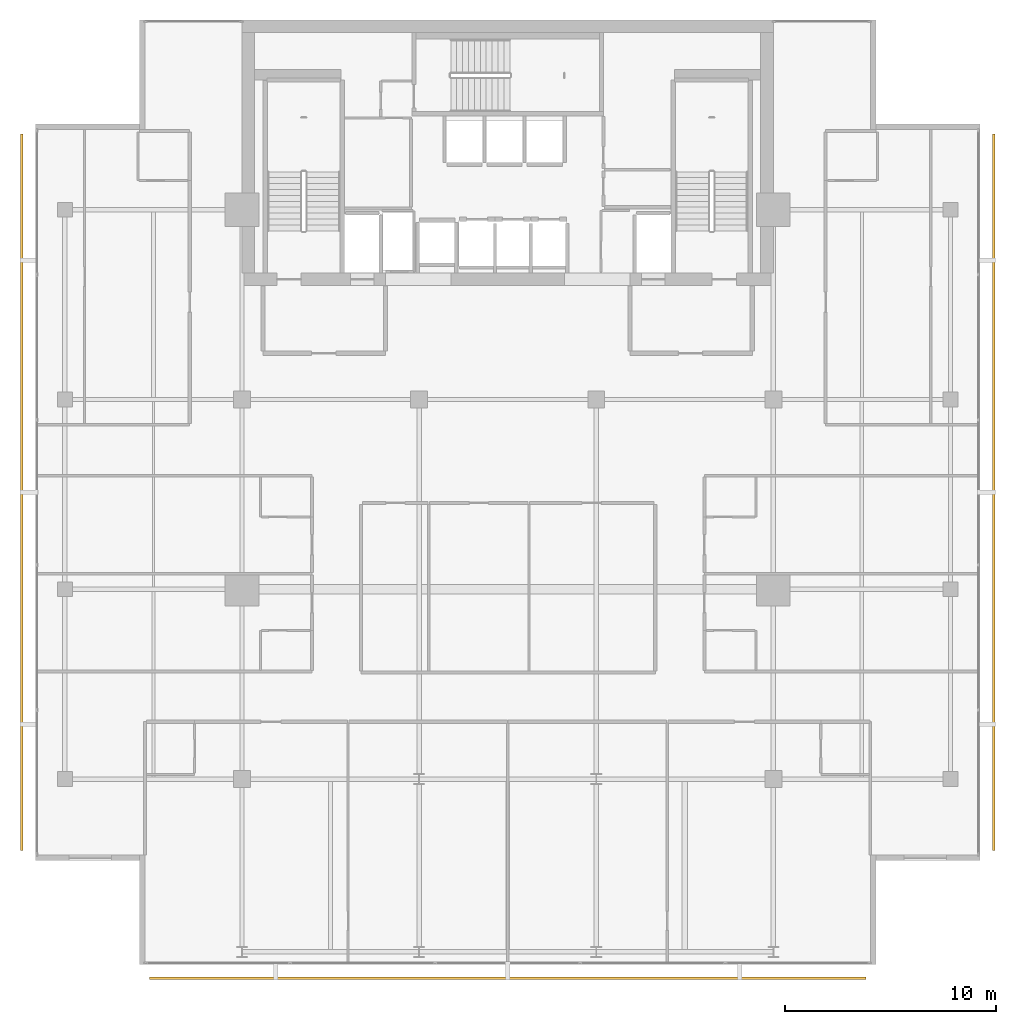
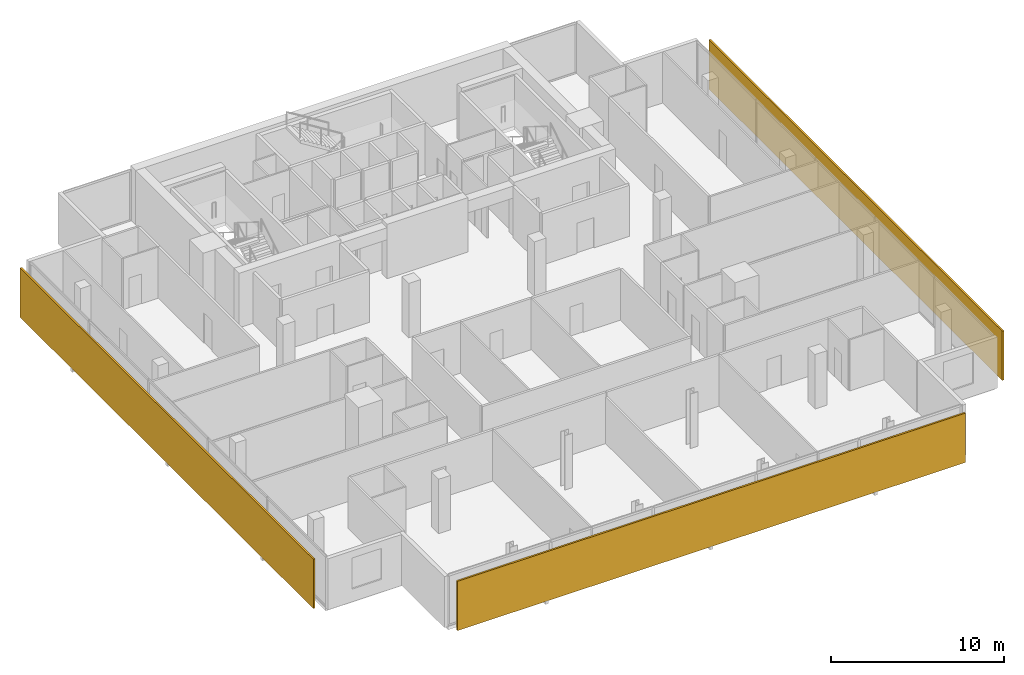
# One storey, part 24 of 25: 3 shading devices.
"""IFC4 building model written with IfcOpenShell, lengths in metres."""

import ifcopenshell
import ifcopenshell.guid

model = None  # the IFC model being written
_history = None  # IfcOwnerHistory: only IFC2X3 demands one
_inside = {}  # id of a spatial element -> (the spatial element, [elements in it])
_under = {}  # id of a project, library or spatial element -> (it, [spatial elements below it])
_declared = {}  # id of a project -> (the project, [libraries it declares])
_typed = {}  # id of a type object -> (the type object, [elements of that type])
_made_of = {}  # id of a material, layer set ... -> (it, [elements and type objects made of it])


def new_model(schema):
    """Start an empty IFC model of exactly this schema.

    Asked for "IFC4X3", IfcOpenShell would pick the latest addendum, in which some entities
    have other attributes; the version numbers below select the first issue.
    IFC2X3 requires an IfcOwnerHistory on every rooted entity: one is made here for all.
    """
    global model, _history
    if schema == "IFC4X3":
        model = ifcopenshell.file(schema_version=(4, 3, 0, 0))
    else:
        model = ifcopenshell.file(schema=schema)
    _inside.clear()
    _under.clear()
    _declared.clear()
    _typed.clear()
    _made_of.clear()
    _history = None
    if model.schema == "IFC2X3":
        org = make("IfcOrganization", Name="unknown")
        user = make(
            "IfcPersonAndOrganization",
            ThePerson=make("IfcPerson", FamilyName="unknown"),
            TheOrganization=org,
        )
        app = make(
            "IfcApplication",
            ApplicationDeveloper=org,
            Version="unknown",
            ApplicationFullName="unknown",
            ApplicationIdentifier="unknown",
        )
        _history = make(
            "IfcOwnerHistory",
            OwningUser=user,
            OwningApplication=app,
            ChangeAction="ADDED",
            CreationDate=0,
        )
    return model


def make(cls, **values):
    """One entity of the class cls with the attributes given. An attribute that is None is left unset."""
    return model.create_entity(
        cls, **{name: value for name, value in values.items() if value is not None}
    )


def rooted(cls, **values):
    """An entity with a GlobalId (a new one), such as an element, a storey or a relation."""
    return make(cls, GlobalId=ifcopenshell.guid.new(), OwnerHistory=_history, **values)


def si_unit(unit_type, name, prefix=None):
    """IfcSIUnit, for example si_unit("LENGTHUNIT", "METRE", prefix="MILLI")."""
    return make("IfcSIUnit", UnitType=unit_type, Prefix=prefix, Name=name)


def assignment(units):
    """IfcUnitAssignment: the units of a project."""
    return None if units is None else make("IfcUnitAssignment", Units=units)


def point(xyz):
    """IfcCartesianPoint."""
    return None if xyz is None else make("IfcCartesianPoint", Coordinates=xyz)


def direction(xyz):
    """IfcDirection."""
    return None if xyz is None else make("IfcDirection", DirectionRatios=xyz)


def frame(location, z_axis=None, x_axis=None):
    """IfcAxis2Placement3D, a coordinate frame: its origin and axes. An axis left out is left unset."""
    return make(
        "IfcAxis2Placement3D",
        Location=point(location),
        Axis=direction(z_axis),
        RefDirection=direction(x_axis),
    )


def frame_2d(location, x_axis=None):
    """IfcAxis2Placement2D, a coordinate frame in the plane: its origin and x axis."""
    return make(
        "IfcAxis2Placement2D", Location=point(location), RefDirection=direction(x_axis)
    )


def origin():
    """The frame at (0, 0, 0) with its axes left unset."""
    return frame((0.0, 0.0, 0.0))


def origin_2d():
    """The frame at (0, 0) in the plane with its x axis left unset."""
    return frame_2d((0.0, 0.0))


def place(relative_to, where):
    """IfcLocalPlacement: puts the frame where relative to a parent placement (None: the world)."""
    return make(
        "IfcLocalPlacement", PlacementRelTo=relative_to, RelativePlacement=where
    )


def context(
    kind, dimensions, precision=None, world=None, true_north=None, identifier=None
):
    """IfcGeometricRepresentationContext, for example the 3D "Model" context."""
    return make(
        "IfcGeometricRepresentationContext",
        ContextIdentifier=identifier,
        ContextType=kind,
        CoordinateSpaceDimension=dimensions,
        Precision=precision,
        WorldCoordinateSystem=world,
        TrueNorth=true_north,
    )


def subcontext(parent, identifier, kind, view, scale=None):
    """IfcGeometricRepresentationSubContext, for example "Body" below "Model"."""
    return make(
        "IfcGeometricRepresentationSubContext",
        ContextIdentifier=identifier,
        ContextType=kind,
        ParentContext=parent,
        TargetScale=scale,
        TargetView=view,
    )


def project(units=None, contexts=None):
    """IfcProject with its units and contexts."""
    return rooted(
        "IfcProject",
        Name="project",
        RepresentationContexts=contexts,
        UnitsInContext=assignment(units),
    )


def spatial(cls, under=None, at=None, **own):
    """A site, building, storey or space (cls), placed at a placement, below another one or the project."""
    s = rooted(cls, ObjectPlacement=at, **own)
    if under is not None:
        _under.setdefault(under.id(), (under, []))[1].append(s)
    return s


def profile(cls, at=None, kind="AREA", **sizes):
    """A parametric profile (cls). Its sizes go by their IFC names, for example OverallWidth=200.0."""
    return make(cls, ProfileType=kind, Position=at, **sizes)


def rectangle(**sizes):
    """IfcRectangleProfileDef."""
    return profile("IfcRectangleProfileDef", **sizes)


def extrude(swept, where, along, depth):
    """IfcExtrudedAreaSolid: the profile swept, set in the frame where, extruded along a direction by depth."""
    return make(
        "IfcExtrudedAreaSolid",
        SweptArea=swept,
        Position=where,
        ExtrudedDirection=direction(along),
        Depth=depth,
    )


def shape(context_of_items, identifier, shape_type, items):
    """IfcShapeRepresentation: the items that make up one representation, for example the "Body"."""
    return make(
        "IfcShapeRepresentation",
        ContextOfItems=context_of_items,
        RepresentationIdentifier=identifier,
        RepresentationType=shape_type,
        Items=items,
    )


def material(Name=None, Category=None):
    """IfcMaterial."""
    return make("IfcMaterial", Name=Name, Category=Category)


def layer(
    of_material, thickness, ventilated=None, Name=None, Category=None, Priority=None
):
    """IfcMaterialLayer: one layer of a wall or slab, of a material (None: an air gap)."""
    return make(
        "IfcMaterialLayer",
        Material=of_material,
        LayerThickness=thickness,
        IsVentilated=ventilated,
        Name=Name,
        Category=Category,
        Priority=Priority,
    )


def layer_set(layers, Name=None):
    """IfcMaterialLayerSet."""
    return make("IfcMaterialLayerSet", MaterialLayers=layers, LayerSetName=Name)


def made_of(thing, what):
    """Note that an element or type object is made of a material, layer set ...; save() writes the relation."""
    if what is not None:
        _made_of.setdefault(what.id(), (what, []))[1].append(thing)
    return thing


def type_object(cls, material=None, **own):
    """A type object (cls), such as IfcWallType, which elements share."""
    return made_of(rooted(cls, **own), material)


def element(
    cls,
    number,
    at=None,
    inside=None,
    cuts=None,
    type_object=None,
    material=None,
    context=None,
    identifier="Body",
    shape_type=None,
    held_by="IfcProductDefinitionShape",
    body=None,
    shapes=None,
    **own,
):
    """One element of the class cls, such as IfcWall. Its Tag is "e" and its number.

    at: its placement. inside: the storey or other place that contains it. cuts: it is an
    opening in that element (IfcRelVoidsElement). A single representation is given by context,
    identifier, shape_type and body (its items); several are given by shapes. held_by: the class
    of the entity that holds the representations. save() writes the other relations.
    """
    e = rooted(cls, Tag="e%d" % number, ObjectPlacement=at, **own)
    if body is not None:
        shapes = [shape(context, identifier, shape_type, body)]
    if shapes is not None:
        e.Representation = make(held_by, Representations=shapes)
    if inside is not None:
        _inside.setdefault(inside.id(), (inside, []))[1].append(e)
    if cuts is not None:
        rooted(
            "IfcRelVoidsElement", RelatingBuildingElement=cuts, RelatedOpeningElement=e
        )
    if type_object is not None:
        _typed.setdefault(type_object.id(), (type_object, []))[1].append(e)
    return made_of(e, material)


def aggregate(whole, parts):
    """IfcRelAggregates: a whole, such as a stair, and the parts it consists of."""
    return rooted("IfcRelAggregates", RelatingObject=whole, RelatedObjects=parts)


def save(model, path):
    """Write the relations noted so far, then the file.

    IfcRelAggregates (storeys below a building ...), IfcRelContainedInSpatialStructure (elements
    in a storey), IfcRelDefinesByType, IfcRelAssociatesMaterial and IfcRelDeclares: one each for
    every whole, place, type object, material and project.
    """
    for whole, parts in _under.values():
        aggregate(whole, parts)
    for where, things in _inside.values():
        rooted(
            "IfcRelContainedInSpatialStructure",
            RelatedElements=things,
            RelatingStructure=where,
        )
    for kind, things in _typed.values():
        rooted("IfcRelDefinesByType", RelatedObjects=things, RelatingType=kind)
    for what, things in _made_of.values():
        rooted("IfcRelAssociatesMaterial", RelatedObjects=things, RelatingMaterial=what)
    for by, libraries in _declared.values():
        rooted("IfcRelDeclares", RelatingContext=by, RelatedDefinitions=libraries)
    model.write(path)


model = new_model("IFC4")

# Units and contexts
model_context = context("Model", 3, precision=1e-05, world=origin(), true_north=direction((0.0, 1.0)))
body_context = subcontext(model_context, "Body", "Model", "MODEL_VIEW")
ifc_project = project(units=[si_unit("LENGTHUNIT", "METRE"), si_unit("AREAUNIT", "SQUARE_METRE"), si_unit("VOLUMEUNIT", "CUBIC_METRE"), si_unit("PLANEANGLEUNIT", "RADIAN"), si_unit("MASSUNIT", "GRAM", prefix="KILO")], contexts=[model_context])

# Site, building, storey
site_placement = place(None, origin())
site = spatial("IfcSite", under=ifc_project, at=site_placement, CompositionType="ELEMENT")
building_placement = place(site_placement, origin())
building = spatial("IfcBuilding", under=site, at=building_placement, Name="Maruvema Waterfront Hotel and Observation Tower", CompositionType="ELEMENT")
storey_placement = place(building_placement, frame((0.0, 0.0, 274.050048828125)))
storey = spatial("IfcBuildingStorey", under=building, at=storey_placement, Name="L67", CompositionType="ELEMENT", Elevation=274.050048828125)

# Shading devices
ifc_material = material(Name="Honed travertine stone and anodised architectural bronze", Category="masonry")
ifc_layer = layer(ifc_material, 0.1201171875, Name="Ventilated Outer Skin Cobogo Stone-and-Bronze Screen 120 mm")
ifc_layer_set = layer_set([ifc_layer], Name="Honed travertine stone and anodised architectural bronze")
shading_device_type = type_object("IfcShadingDeviceType", Name="Ventilated Outer Skin Cobogo Stone-and-Bronze Screen 120 mm", PredefinedType="USERDEFINED", material=ifc_layer_set)
for number, where, z_axis, x_axis, name in (
    (1, (37.800048828125, 8.550048828125, 0.06005859375), (0.0, 0.0, 1.0), (1.0, 0.0, 0.0), "L67 Ventilated Double-Skin Outer Cobogo Screen OS-L67-S"),
    (2, (60.85009765625, 31.60009765625, 0.06005859375), (0.0, 0.0, 1.0), (0.0, 1.0, 0.0), "L67 Ventilated Double-Skin Outer Cobogo Screen OS-L67-E"),
    (3, (14.75, 31.60009765625, 0.06005859375), (0.0, 0.0, 1.0), (0.0, -1.0, 0.0), "L67 Ventilated Double-Skin Outer Cobogo Screen OS-L67-W"),
):
    element("IfcShadingDevice", number, at=place(storey_placement, frame(where, z_axis=z_axis, x_axis=x_axis)), inside=storey, type_object=shading_device_type, Name=name, ObjectType="OUTER SKIN SCREEN", PredefinedType="USERDEFINED", context=body_context, shape_type="SweptSolid", body=[
        extrude(rectangle(XDim=34.0, YDim=0.1201171875, at=origin_2d()), origin(), (0.0, 0.0, 1.0), 3.489990234375),
    ])

save(model, "model.ifc")
